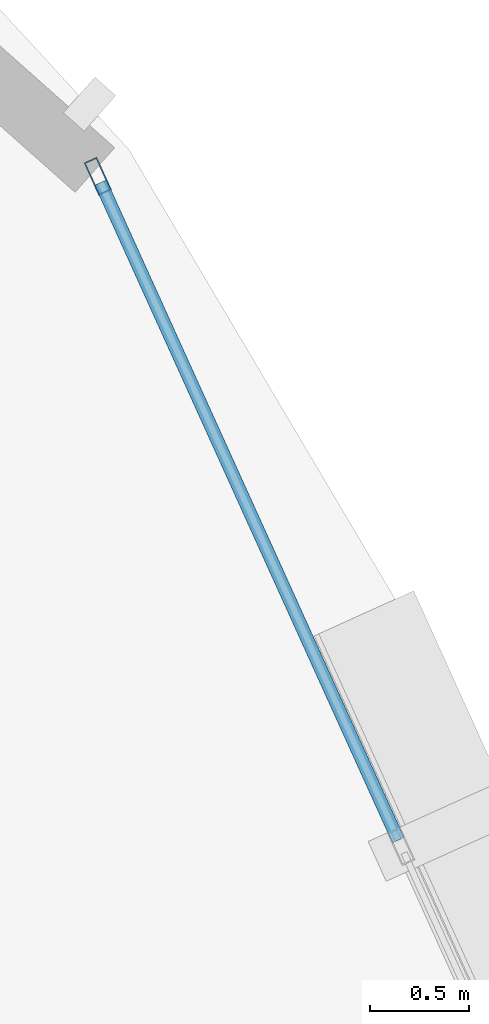
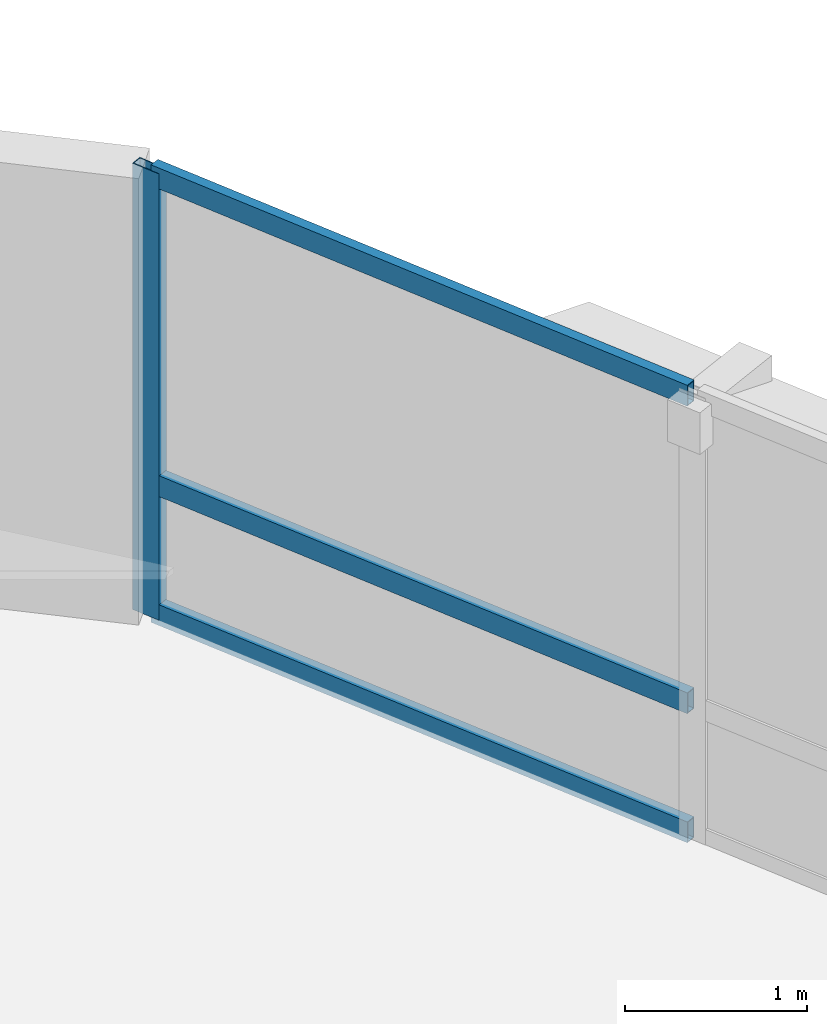
# One storey, part 10 of 17: 4 members, 1 element without a shape of its own.
"""IFC4 building model written with IfcOpenShell, lengths in metres."""

from ifc_helpers import new_model, si_unit, direction, frame, origin, origin_2d, place, context, subcontext, project, spatial, hollow_rectangle, extrude, material, layer, layer_set, material_profile, profile_set, type_object, element, aggregate, save


model = new_model("IFC4")

# Units and contexts
model_context = context("Model", 3, precision=1e-05, world=origin(), true_north=direction((0.0, 1.0)))
body_context = subcontext(model_context, "Body", "Model", "MODEL_VIEW")
ifc_project = project(units=[si_unit("LENGTHUNIT", "METRE"), si_unit("AREAUNIT", "SQUARE_METRE"), si_unit("VOLUMEUNIT", "CUBIC_METRE"), si_unit("PLANEANGLEUNIT", "RADIAN"), si_unit("MASSUNIT", "GRAM", prefix="KILO"), si_unit("THERMODYNAMICTEMPERATUREUNIT", "KELVIN"), si_unit("POWERUNIT", "WATT")], contexts=[model_context])

# Site, building, storey
site_placement = place(None, origin())
site = spatial("IfcSite", under=ifc_project, at=site_placement, CompositionType="ELEMENT")
building_placement = place(site_placement, origin())
building = spatial("IfcBuilding", under=site, at=building_placement, Name="Ocrelia Relay Tower", CompositionType="ELEMENT")
storey_placement = place(building_placement, frame((0.0, 0.0, 80.39990234375)))
storey = spatial("IfcBuildingStorey", under=building, at=storey_placement, Name="L18", CompositionType="ELEMENT", Elevation=80.39990234375)

# Curtain wall, members
ifc_material_1 = material(Name="Aluminium and solar-control low-E glass", Category="aluminium")
ifc_layer = layer(ifc_material_1, 0.179931640625, Name="Aluminium and solar-control low-E glass")
ifc_layer_set = layer_set([ifc_layer], Name="Aluminium and solar-control low-E glass")
curtain_wall_type = type_object("IfcCurtainWallType", Name="CW-SYS-Z1-DATA", PredefinedType="NOTDEFINED", material=ifc_layer_set)
curtain_wall_placement = place(storey_placement, origin())
curtain_wall = element("IfcCurtainWall", 1, at=curtain_wall_placement, inside=storey, type_object=curtain_wall_type, Name="L18 Elliptical Tower Curtain Wall Bay 01", PredefinedType="NOTDEFINED")
ifc_material_2 = material(Name="Anodised bronze aluminium", Category="aluminium")
ifc_material_profile_1 = material_profile(ifc_material_2, hollow_rectangle(XDim=0.070068359375, YDim=0.179931640625, WallThickness=0.006103515625, at=origin_2d()), Name="CW-MUL-180x70")
ifc_profile_set_1 = profile_set([ifc_material_profile_1], Name="Anodised bronze aluminium")
member_type_1 = type_object("IfcMemberType", Name="CW-SYS-Z1-DATA-MUL", PredefinedType="MULLION", material=ifc_profile_set_1)
member_1_placement = place(storey_placement, frame((58.1826171875, 38.27294921875, 0.0), z_axis=(0.0, 0.0, 1.0), x_axis=(-0.910970682589, -0.41247110864, 0.0)))
member_1 = element("IfcMember", 2, at=member_1_placement, type_object=member_type_1, Name="CW-Z1 mullion 3", PredefinedType="MULLION", context=body_context, shape_type="SweptSolid", body=[
    extrude(hollow_rectangle(XDim=0.070068359375, YDim=0.179931640625, WallThickness=0.006103515625, at=origin_2d()), origin(), (0.0, 0.0, 1.0), 3.0),
])
ifc_material_profile_2 = material_profile(ifc_material_2, hollow_rectangle(XDim=0.06494140625, YDim=0.139892578125, WallThickness=0.0048828125, at=origin_2d()), Name="CW-TRN-140x65")
ifc_profile_set_2 = profile_set([ifc_material_profile_2], Name="Anodised bronze aluminium")
member_type_2 = type_object("IfcMemberType", Name="CW-SYS-Z1-DATA-TRN", PredefinedType="USERDEFINED", material=ifc_profile_set_2)
member_2_placement = place(storey_placement, frame((59.6953125, 34.931640625, 0.03271484375), z_axis=(-0.41244546836, 0.910982291611, 0.0), x_axis=(-0.910982291611, -0.41244546836, 0.0)))
member_2 = element("IfcMember", 3, at=member_2_placement, type_object=member_type_2, Name="CW-Z1 transom 2.1", ObjectType="TRANSOM", PredefinedType="USERDEFINED", context=body_context, shape_type="SweptSolid", body=[
    extrude(hollow_rectangle(XDim=0.06494140625, YDim=0.139892578125, WallThickness=0.0048828125, at=origin_2d()), origin(), (0.0, 0.0, 1.0), 3.6328125),
])
member_3_placement = place(storey_placement, frame((59.6953125, 34.931640625, 0.900146484375), z_axis=(-0.41244546836, 0.910982291611, 0.0), x_axis=(-0.910982291611, -0.41244546836, 0.0)))
member_3 = element("IfcMember", 4, at=member_3_placement, type_object=member_type_2, Name="CW-Z1 transom 2.2", ObjectType="TRANSOM", PredefinedType="USERDEFINED", context=body_context, shape_type="SweptSolid", body=[
    extrude(hollow_rectangle(XDim=0.06494140625, YDim=0.139892578125, WallThickness=0.0048828125, at=origin_2d()), origin(), (0.0, 0.0, 1.0), 3.6328125),
])
member_4_placement = place(storey_placement, frame((59.6953125, 34.931640625, 2.967529296875), z_axis=(-0.41244546836, 0.910982291611, 0.0), x_axis=(-0.910982291611, -0.41244546836, 0.0)))
member_4 = element("IfcMember", 5, at=member_4_placement, type_object=member_type_2, Name="CW-Z1 transom 2.3", ObjectType="TRANSOM", PredefinedType="USERDEFINED", context=body_context, shape_type="SweptSolid", body=[
    extrude(hollow_rectangle(XDim=0.06494140625, YDim=0.139892578125, WallThickness=0.0048828125, at=origin_2d()), origin(), (0.0, 0.0, 1.0), 3.6328125),
])
aggregate(curtain_wall, [member_1, member_2, member_3, member_4])

save(model, "model.ifc")
